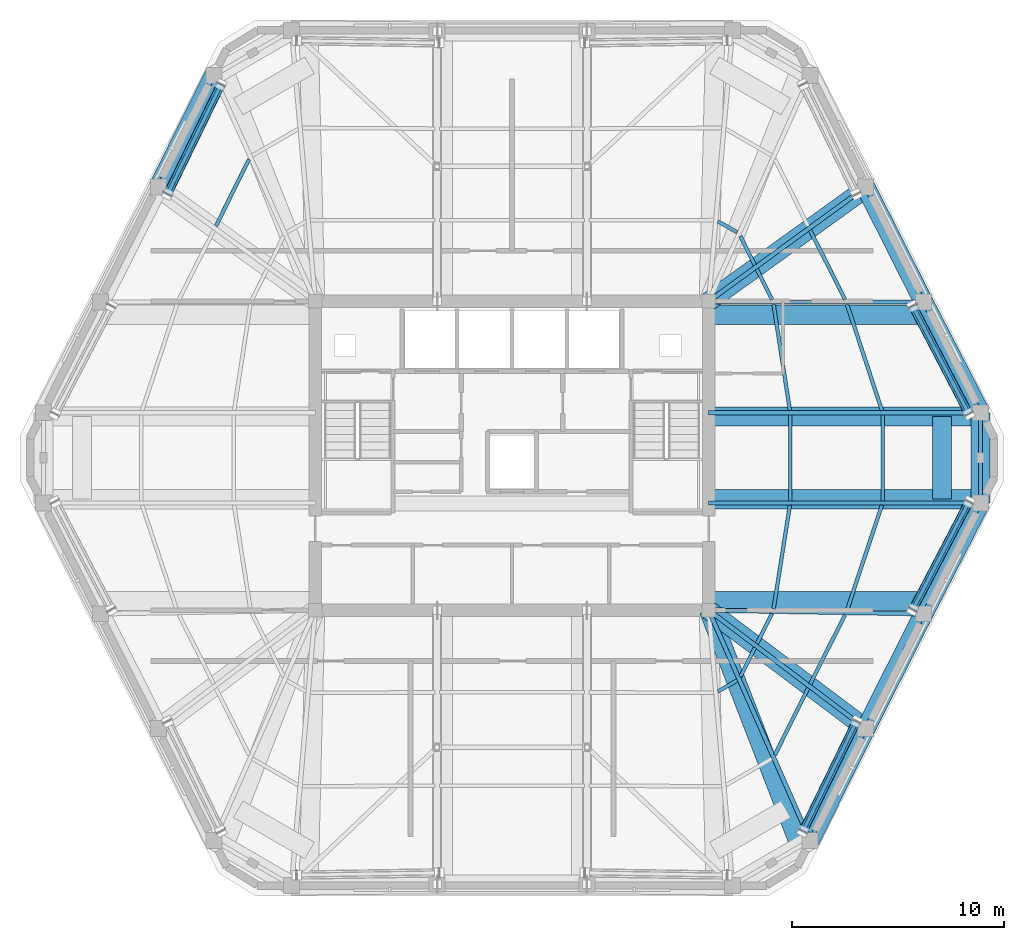
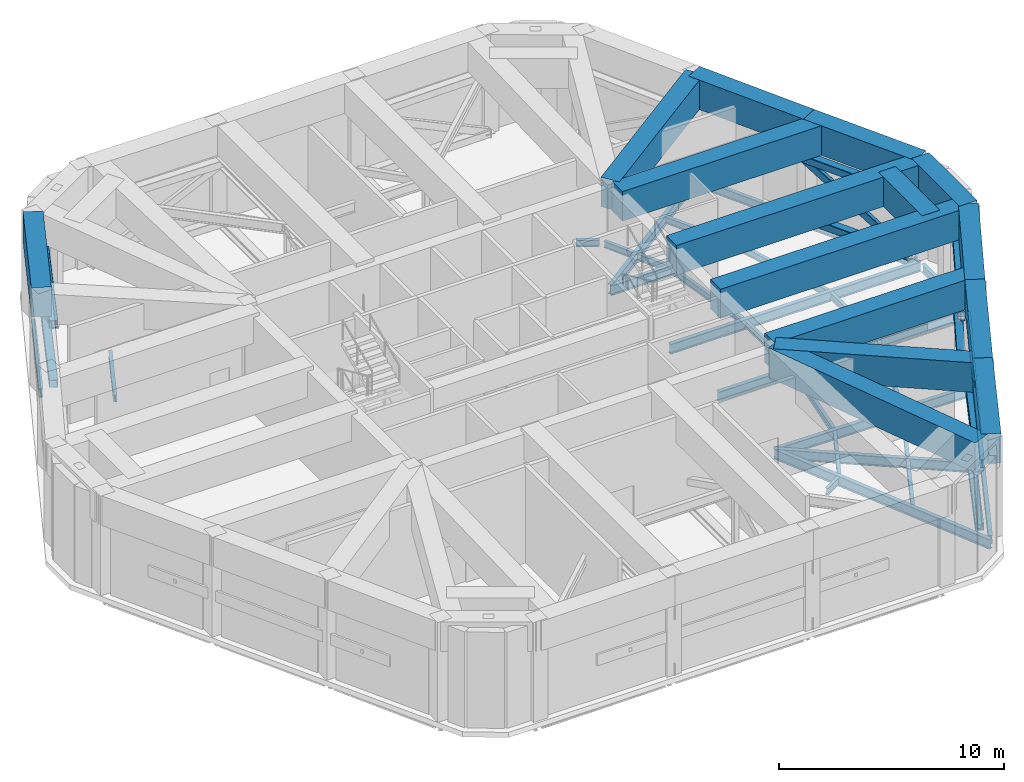
# One storey, part 4 of 15: 45 beams, 12 members.
"""IFC4 building model written with IfcOpenShell, lengths in metres."""

from ifc_helpers import new_model, si_unit, direction, frame, origin, origin_2d, place, context, subcontext, project, spatial, rectangle, hollow_rectangle, i_section, extrude, material, material_profile, profile_set, type_object, element, save


model = new_model("IFC4")

# Units and contexts
model_context = context("Model", 3, precision=1e-05, world=origin(), true_north=direction((0.0, 1.0)))
body_context = subcontext(model_context, "Body", "Model", "MODEL_VIEW")
ifc_project = project(units=[si_unit("LENGTHUNIT", "METRE"), si_unit("AREAUNIT", "SQUARE_METRE"), si_unit("VOLUMEUNIT", "CUBIC_METRE"), si_unit("PLANEANGLEUNIT", "RADIAN"), si_unit("MASSUNIT", "GRAM", prefix="KILO")], contexts=[model_context])

# Site, building, storey
site_placement = place(None, origin())
site = spatial("IfcSite", under=ifc_project, at=site_placement, CompositionType="ELEMENT")
building_placement = place(site_placement, origin())
building = spatial("IfcBuilding", under=site, at=building_placement, Name="Cinnabar Lancet Tower", CompositionType="ELEMENT")
storey_placement = place(building_placement, frame((0.0, 0.0, 221.60009765625)))
storey = spatial("IfcBuildingStorey", under=building, at=storey_placement, Name="L59", CompositionType="ELEMENT", Elevation=221.60009765625)

# Beams
ifc_material_1 = material(Name="Concrete C70/85", Category="concrete")
ifc_material_profile_1 = material_profile(ifc_material_1, rectangle(XDim=0.89990234375, YDim=1.60009765625, at=origin_2d()), Name="RC-BG 900x1600")
ifc_profile_set_1 = profile_set([ifc_material_profile_1], Name="Concrete C70/85")
beam_type_1 = type_object("IfcBeamType", Name="STR-BM-BG-1600", PredefinedType="BEAM", material=ifc_profile_set_1)
beam_1_placement = place(storey_placement, frame((46.4951171875, 7.718017578125, 4.599853515625), z_axis=(0.444811402135, 0.895624260798, 0.0), x_axis=(-0.895624260798, 0.444811402135, 0.0)))
element("IfcBeam", 1, at=beam_1_placement, inside=storey, type_object=beam_type_1, Name="L60 Setback Outer Ring Girder 5", PredefinedType="BEAM", context=body_context, shape_type="SweptSolid", body=[
    extrude(rectangle(XDim=0.89990234375, YDim=1.60009765625, at=origin_2d()), origin(), (0.0, 0.0, 1.0), 5.898681640625),
])
beam_2_placement = place(storey_placement, frame((49.118896484375, 13.0009765625, 4.599853515625), z_axis=(0.450503306898, 0.892774759093, 0.0), x_axis=(-0.892774759093, 0.450503306898, 0.0)))
element("IfcBeam", 2, at=beam_2_placement, inside=storey, type_object=beam_type_1, Name="L60 Setback Outer Ring Girder 6", PredefinedType="BEAM", context=body_context, shape_type="SweptSolid", body=[
    extrude(rectangle(XDim=0.89990234375, YDim=1.60009765625, at=origin_2d()), origin(), (0.0, 0.0, 1.0), 6.079833984375),
])
beam_3_placement = place(storey_placement, frame((51.85791015625, 18.428955078125, 4.599853515625), z_axis=(0.456657491624, 0.88964258854, 0.0), x_axis=(-0.88964258854, 0.456657491624, 0.0)))
element("IfcBeam", 3, at=beam_3_placement, inside=storey, type_object=beam_type_1, Name="L60 Setback Outer Ring Girder 7", PredefinedType="BEAM", context=body_context, shape_type="SweptSolid", body=[
    extrude(rectangle(XDim=0.89990234375, YDim=1.60009765625, at=origin_2d()), origin(), (0.0, 0.0, 1.0), 5.888916015625),
])
beam_4_placement = place(storey_placement, frame((54.547119140625, 23.66796875, 4.599853515625), z_axis=(0.0, 1.0, 0.0), x_axis=(-1.0, 0.0, 0.0)))
element("IfcBeam", 4, at=beam_4_placement, inside=storey, type_object=beam_type_1, Name="L60 Setback Outer Ring Girder 8", PredefinedType="BEAM", context=body_context, shape_type="SweptSolid", body=[
    extrude(rectangle(XDim=0.89990234375, YDim=1.60009765625, at=origin_2d()), origin(), (0.0, 0.0, 1.0), 4.263916015625),
])
beam_5_placement = place(storey_placement, frame((54.547119140625, 27.931884765625, 4.599853515625), z_axis=(-0.456657491624, 0.88964258854, 0.0), x_axis=(-0.88964258854, -0.456657491624, 0.0)))
element("IfcBeam", 5, at=beam_5_placement, inside=storey, type_object=beam_type_1, Name="L60 Setback Outer Ring Girder 9", PredefinedType="BEAM", context=body_context, shape_type="SweptSolid", body=[
    extrude(rectangle(XDim=0.89990234375, YDim=1.60009765625, at=origin_2d()), origin(), (0.0, 0.0, 1.0), 5.888916015625),
])
beam_6_placement = place(storey_placement, frame((51.85791015625, 33.1708984375, 4.599853515625), z_axis=(-0.450487156987, 0.892782908321, 0.0), x_axis=(-0.892782908321, -0.450487156987, 0.0)))
element("IfcBeam", 6, at=beam_6_placement, inside=storey, type_object=beam_type_1, Name="L60 Setback Outer Ring Girder 10", PredefinedType="BEAM", context=body_context, shape_type="SweptSolid", body=[
    extrude(rectangle(XDim=0.89990234375, YDim=1.60009765625, at=origin_2d()), origin(), (0.0, 0.0, 1.0), 6.080078125),
])
beam_7_placement = place(storey_placement, frame((18.304931640625, 43.882080078125, 4.599853515625), z_axis=(-0.444844601392, -0.895607771635, 0.0), x_axis=(0.895607771635, -0.444844601392, 0.0)))
element("IfcBeam", 7, at=beam_7_placement, inside=storey, type_object=beam_type_1, Name="L60 Setback Outer Ring Girder 17", PredefinedType="BEAM", context=body_context, shape_type="SweptSolid", body=[
    extrude(rectangle(XDim=0.89990234375, YDim=1.60009765625, at=origin_2d()), origin(), (0.0, 0.0, 1.0), 5.898681640625),
])
beam_8_placement = place(storey_placement, frame((45.949951171875, 7.616943359375, 4.599853515625), z_axis=(-0.360880109126, 0.932612216753, 0.0), x_axis=(-0.932612216753, -0.360880109126, 0.0)))
element("IfcBeam", 8, at=beam_8_placement, inside=storey, type_object=beam_type_1, Name="L60 Setback Continuous Radial Transfer Girder 5", PredefinedType="BEAM", context=body_context, shape_type="SweptSolid", body=[
    extrude(rectangle(XDim=0.89990234375, YDim=1.60009765625, at=origin_2d()), origin(), (0.0, 0.0, 1.0), 11.77685546875),
])
beam_9_placement = place(storey_placement, frame((49.10205078125, 13.027099609375, 4.599853515625), z_axis=(-0.798888792815, 0.601478758323, 0.0), x_axis=(-0.601478758323, -0.798888792815, 0.0)))
element("IfcBeam", 9, at=beam_9_placement, inside=storey, type_object=beam_type_1, Name="L60 Setback Continuous Radial Transfer Girder 6", PredefinedType="BEAM", context=body_context, shape_type="SweptSolid", body=[
    extrude(rectangle(XDim=0.89990234375, YDim=1.60009765625, at=origin_2d()), origin(), (0.0, 0.0, 1.0), 9.265380859375),
])
beam_10_placement = place(storey_placement, frame((51.958984375, 19.032958984375, 4.599853515625), z_axis=(-1.0, 0.0, 0.0), x_axis=(0.0, -1.0, 0.0)))
element("IfcBeam", 10, at=beam_10_placement, inside=storey, type_object=beam_type_1, Name="L60 Setback Continuous Radial Transfer Girder 7", PredefinedType="BEAM", context=body_context, shape_type="SweptSolid", body=[
    extrude(rectangle(XDim=0.89990234375, YDim=1.60009765625, at=origin_2d()), origin(), (0.0, 0.0, 1.0), 10.259033203125),
])
for number, where, z_axis, x_axis, name in (
    (11, (54.427978515625, 23.844970703125, 4.599853515625), (-1.0, 0.0, 0.0), (0.0, -1.0, 0.0), "L60 Setback Continuous Radial Transfer Girder 8"),
    (12, (54.427978515625, 27.7548828125, 4.599853515625), (-1.0, 0.0, 0.0), (0.0, -1.0, 0.0), "L60 Setback Continuous Radial Transfer Girder 9"),
):
    element("IfcBeam", number, at=place(storey_placement, frame(where, z_axis=z_axis, x_axis=x_axis)), inside=storey, type_object=beam_type_1, Name=name, PredefinedType="BEAM", context=body_context, shape_type="SweptSolid", body=[
        extrude(rectangle(XDim=0.89990234375, YDim=1.60009765625, at=origin_2d()), origin(), (0.0, 0.0, 1.0), 12.72802734375),
    ])
beam_11_placement = place(storey_placement, frame((51.958984375, 32.56689453125, 4.599853515625), z_axis=(-1.0, 0.0, 0.0), x_axis=(0.0, -1.0, 0.0)))
element("IfcBeam", 13, at=beam_11_placement, inside=storey, type_object=beam_type_1, Name="L60 Setback Continuous Radial Transfer Girder 10", PredefinedType="BEAM", context=body_context, shape_type="SweptSolid", body=[
    extrude(rectangle(XDim=0.89990234375, YDim=1.60009765625, at=origin_2d()), origin(), (0.0, 0.0, 1.0), 10.259033203125),
])
beam_12_placement = place(storey_placement, frame((49.1240234375, 38.54296875, 4.599853515625), z_axis=(-0.811654308414, -0.584138068981, 0.0), x_axis=(0.584138068981, -0.811654308414, 0.0)))
element("IfcBeam", 14, at=beam_12_placement, inside=storey, type_object=beam_type_1, Name="L60 Setback Continuous Radial Transfer Girder 11", PredefinedType="BEAM", context=body_context, shape_type="SweptSolid", body=[
    extrude(rectangle(XDim=0.89990234375, YDim=1.60009765625, at=origin_2d()), origin(), (0.0, 0.0, 1.0), 9.146728515625),
])
beam_13_placement = place(storey_placement, frame((52.737060546875, 23.844970703125, 4.599853515625), z_axis=(0.0, 1.0, 0.0), x_axis=(-1.0, 0.0, 0.0)))
element("IfcBeam", 15, at=beam_13_placement, inside=storey, type_object=beam_type_1, Name="L60 Setback Pilaster Transfer Chord 3", PredefinedType="BEAM", context=body_context, shape_type="SweptSolid", body=[
    extrude(rectangle(XDim=0.89990234375, YDim=1.60009765625, at=origin_2d()), origin(), (0.0, 0.0, 1.0), 3.909912109375),
])
ifc_material_2 = material(Name="Structural steel S355", Category="steel")
ifc_material_profile_2 = material_profile(ifc_material_2, i_section(OverallWidth=0.17138671875, OverallDepth=0.35498046875, WebThickness=0.00732421875, FlangeThickness=0.011474609375, FilletRadius=0.01025390625, at=origin_2d()), Name="UKB 356x171x51")
ifc_profile_set_2 = profile_set([ifc_material_profile_2], Name="Structural steel S355")
beam_type_2 = type_object("IfcBeamType", Name="STR-BM-JST-356", PredefinedType="JOIST", material=ifc_profile_set_2)
beam_14_placement = place(storey_placement, frame((42.135986328125, 14.7548828125, -0.4580078125), z_axis=(0.8651881055, 0.501447446998, 0.0), x_axis=(-0.501447446998, 0.8651881055, 0.0)))
element("IfcBeam", 16, at=beam_14_placement, inside=storey, type_object=beam_type_2, Name="L59 Secondary Floor Joist 16", PredefinedType="JOIST", context=body_context, shape_type="SweptSolid", body=[
    extrude(i_section(OverallWidth=0.17138671875, OverallDepth=0.35498046875, WebThickness=0.00732421875, FlangeThickness=0.011474609375, FilletRadius=0.01025390625, at=origin_2d()), origin(), (0.0, 0.0, 1.0), 1.05322265625),
])
beam_15_placement = place(storey_placement, frame((44.8291015625, 11.758056640625, -0.4580078125), z_axis=(0.445027906173, 0.895516701534, 0.0), x_axis=(-0.895516701534, 0.445027906173, 0.0)))
element("IfcBeam", 17, at=beam_15_placement, inside=storey, type_object=beam_type_2, Name="L59 Secondary Floor Joist 17", PredefinedType="JOIST", context=body_context, shape_type="SweptSolid", body=[
    extrude(i_section(OverallWidth=0.17138671875, OverallDepth=0.35498046875, WebThickness=0.00732421875, FlangeThickness=0.011474609375, FilletRadius=0.01025390625, at=origin_2d()), origin(), (0.0, 0.0, 1.0), 3.531982421875),
])
beam_16_placement = place(storey_placement, frame((43.198974609375, 15.45703125, -0.4580078125), z_axis=(0.444589856968, 0.895734256954, 0.0), x_axis=(-0.895734256954, 0.444589856968, 0.0)))
element("IfcBeam", 18, at=beam_16_placement, inside=storey, type_object=beam_type_2, Name="L59 Secondary Floor Joist 18", PredefinedType="JOIST", context=body_context, shape_type="SweptSolid", body=[
    extrude(i_section(OverallWidth=0.17138671875, OverallDepth=0.35498046875, WebThickness=0.00732421875, FlangeThickness=0.011474609375, FilletRadius=0.01025390625, at=origin_2d()), origin(), (0.0, 0.0, 1.0), 1.527099609375),
])
beam_17_placement = place(storey_placement, frame((46.49609375, 15.112060546875, -0.4580078125), z_axis=(0.450564728728, 0.892743762357, 0.0), x_axis=(-0.892743762357, 0.450564728728, 0.0)))
element("IfcBeam", 19, at=beam_17_placement, inside=storey, type_object=beam_type_2, Name="L59 Secondary Floor Joist 19", PredefinedType="JOIST", context=body_context, shape_type="SweptSolid", body=[
    extrude(i_section(OverallWidth=0.17138671875, OverallDepth=0.35498046875, WebThickness=0.00732421875, FlangeThickness=0.011474609375, FilletRadius=0.01025390625, at=origin_2d()), origin(), (0.0, 0.0, 1.0), 3.66845703125),
])
beam_18_placement = place(storey_placement, frame((43.97412109375, 17.014892578125, -0.4580078125), z_axis=(0.450137936259, 0.892959035085, 0.0), x_axis=(-0.892959035085, 0.450137936259, 0.0)))
element("IfcBeam", 20, at=beam_18_placement, inside=storey, type_object=beam_type_2, Name="L59 Secondary Floor Joist 20", PredefinedType="JOIST", context=body_context, shape_type="SweptSolid", body=[
    extrude(i_section(OverallWidth=0.17138671875, OverallDepth=0.35498046875, WebThickness=0.00732421875, FlangeThickness=0.011474609375, FilletRadius=0.01025390625, at=origin_2d()), origin(), (0.0, 0.0, 1.0), 1.6015625),
])
beam_19_placement = place(storey_placement, frame((48.236083984375, 18.594970703125, -0.4580078125), z_axis=(0.315346227037, 0.948976689436, 0.0), x_axis=(-0.948976689436, 0.315346227037, 0.0)))
element("IfcBeam", 21, at=beam_19_placement, inside=storey, type_object=beam_type_2, Name="L59 Secondary Floor Joist 21", PredefinedType="JOIST", context=body_context, shape_type="SweptSolid", body=[
    extrude(i_section(OverallWidth=0.17138671875, OverallDepth=0.35498046875, WebThickness=0.00732421875, FlangeThickness=0.011474609375, FilletRadius=0.01025390625, at=origin_2d()), origin(), (0.0, 0.0, 1.0), 5.235107421875),
])
beam_20_placement = place(storey_placement, frame((44.763916015625, 18.653076171875, -0.4580078125), z_axis=(0.155750702097, 0.987796395416, 0.0), x_axis=(-0.987796395416, 0.155750702097, 0.0)))
element("IfcBeam", 22, at=beam_20_placement, inside=storey, type_object=beam_type_2, Name="L59 Secondary Floor Joist 22", PredefinedType="JOIST", context=body_context, shape_type="SweptSolid", body=[
    extrude(i_section(OverallWidth=0.17138671875, OverallDepth=0.35498046875, WebThickness=0.00732421875, FlangeThickness=0.011474609375, FilletRadius=0.01025390625, at=origin_2d()), origin(), (0.0, 0.0, 1.0), 4.970458984375),
])
for number, where, z_axis, x_axis, name in (
    (23, (49.922119140625, 23.77294921875, -0.4580078125), (0.0, 1.0, 0.0), (-1.0, 0.0, 0.0), "L59 Secondary Floor Joist 23"),
    (24, (45.553955078125, 23.77294921875, -0.4580078125), (0.0, 1.0, 0.0), (-1.0, 0.0, 0.0), "L59 Secondary Floor Joist 24"),
):
    element("IfcBeam", number, at=place(storey_placement, frame(where, z_axis=z_axis, x_axis=x_axis)), inside=storey, type_object=beam_type_2, Name=name, PredefinedType="JOIST", context=body_context, shape_type="SweptSolid", body=[
        extrude(i_section(OverallWidth=0.17138671875, OverallDepth=0.35498046875, WebThickness=0.00732421875, FlangeThickness=0.011474609375, FilletRadius=0.01025390625, at=origin_2d()), origin(), (0.0, 0.0, 1.0), 4.053955078125),
    ])
beam_21_placement = place(storey_placement, frame((49.887939453125, 28.037109375, -0.4580078125), z_axis=(-0.312240109925, 0.95000321776, 0.0), x_axis=(-0.95000321776, -0.312240109925, 0.0)))
element("IfcBeam", 25, at=beam_21_placement, inside=storey, type_object=beam_type_2, Name="L59 Secondary Floor Joist 25", PredefinedType="JOIST", context=body_context, shape_type="SweptSolid", body=[
    extrude(i_section(OverallWidth=0.17138671875, OverallDepth=0.35498046875, WebThickness=0.00732421875, FlangeThickness=0.011474609375, FilletRadius=0.01025390625, at=origin_2d()), origin(), (0.0, 0.0, 1.0), 5.29345703125),
])
beam_22_placement = place(storey_placement, frame((45.5380859375, 28.037109375, -0.4580078125), z_axis=(-0.152154536592, 0.98835671546, 0.0), x_axis=(-0.98835671546, -0.152154536592, 0.0)))
element("IfcBeam", 26, at=beam_22_placement, inside=storey, type_object=beam_type_2, Name="L59 Secondary Floor Joist 26", PredefinedType="JOIST", context=body_context, shape_type="SweptSolid", body=[
    extrude(i_section(OverallWidth=0.17138671875, OverallDepth=0.35498046875, WebThickness=0.00732421875, FlangeThickness=0.011474609375, FilletRadius=0.01025390625, at=origin_2d()), origin(), (0.0, 0.0, 1.0), 5.088134765625),
])
beam_23_placement = place(storey_placement, frame((48.14794921875, 33.27587890625, -0.4580078125), z_axis=(-0.449230875134, 0.893415704376, 0.0), x_axis=(-0.893415704376, -0.449230875134, 0.0)))
element("IfcBeam", 27, at=beam_23_placement, inside=storey, type_object=beam_type_2, Name="L59 Secondary Floor Joist 27", PredefinedType="JOIST", context=body_context, shape_type="SweptSolid", body=[
    extrude(i_section(OverallWidth=0.17138671875, OverallDepth=0.35498046875, WebThickness=0.00732421875, FlangeThickness=0.011474609375, FilletRadius=0.01025390625, at=origin_2d()), origin(), (0.0, 0.0, 1.0), 3.677001953125),
])
beam_24_placement = place(storey_placement, frame((44.695068359375, 33.27587890625, -0.4580078125), z_axis=(-0.446006949597, 0.89502949723, 0.0), x_axis=(-0.89502949723, -0.446006949597, 0.0)))
element("IfcBeam", 28, at=beam_24_placement, inside=storey, type_object=beam_type_2, Name="L59 Secondary Floor Joist 28", PredefinedType="JOIST", context=body_context, shape_type="SweptSolid", body=[
    extrude(i_section(OverallWidth=0.17138671875, OverallDepth=0.35498046875, WebThickness=0.00732421875, FlangeThickness=0.011474609375, FilletRadius=0.01025390625, at=origin_2d()), origin(), (0.0, 0.0, 1.0), 1.619140625),
])
beam_25_placement = place(storey_placement, frame((43.8779296875, 34.9150390625, -0.4580078125), z_axis=(-0.444589856968, 0.895734256954, 0.0), x_axis=(-0.895734256954, -0.444589856968, 0.0)))
element("IfcBeam", 29, at=beam_25_placement, inside=storey, type_object=beam_type_2, Name="L59 Secondary Floor Joist 30", PredefinedType="JOIST", context=body_context, shape_type="SweptSolid", body=[
    extrude(i_section(OverallWidth=0.17138671875, OverallDepth=0.35498046875, WebThickness=0.00732421875, FlangeThickness=0.011474609375, FilletRadius=0.01025390625, at=origin_2d()), origin(), (0.0, 0.0, 1.0), 1.527099609375),
])
beam_26_placement = place(storey_placement, frame((43.047119140625, 36.45703125, -0.4580078125), z_axis=(-0.8651881055, 0.501447446998, 0.0), x_axis=(-0.501447446998, -0.8651881055, 0.0)))
element("IfcBeam", 30, at=beam_26_placement, inside=storey, type_object=beam_type_2, Name="L59 Secondary Floor Joist 32", PredefinedType="JOIST", context=body_context, shape_type="SweptSolid", body=[
    extrude(i_section(OverallWidth=0.17138671875, OverallDepth=0.35498046875, WebThickness=0.00732421875, FlangeThickness=0.011474609375, FilletRadius=0.01025390625, at=origin_2d()), origin(), (0.0, 0.0, 1.0), 1.05322265625),
])
beam_27_placement = place(storey_placement, frame((19.970947265625, 39.9150390625, -0.4580078125), z_axis=(-0.444835507887, -0.895612288283, 0.0), x_axis=(0.895612288283, -0.444835507887, 0.0)))
element("IfcBeam", 31, at=beam_27_placement, inside=storey, type_object=beam_type_2, Name="L59 Secondary Floor Joist 41", PredefinedType="JOIST", context=body_context, shape_type="SweptSolid", body=[
    extrude(i_section(OverallWidth=0.17138671875, OverallDepth=0.35498046875, WebThickness=0.00732421875, FlangeThickness=0.011474609375, FilletRadius=0.01025390625, at=origin_2d()), origin(), (0.0, 0.0, 1.0), 3.533935546875),
])
ifc_material_3 = material(Name="Structural steel S355", Category="steel")
ifc_material_profile_3 = material_profile(ifc_material_3, i_section(OverallWidth=0.1904296875, OverallDepth=0.45703125, WebThickness=0.009033203125, FlangeThickness=0.014404296875, FilletRadius=0.01025390625, at=origin_2d()), Name="UKB 457x191x74")
ifc_profile_set_3 = profile_set([ifc_material_profile_3], Name="Structural steel S355")
beam_type_3 = type_object("IfcBeamType", Name="STR-BM-SPN-457", PredefinedType="SPANDREL", material=ifc_profile_set_3)
beam_28_placement = place(storey_placement, frame((46.60595703125, 7.94189453125, -0.509033203125), z_axis=(0.444914968367, 0.895572817208, 0.0), x_axis=(-0.895572817208, 0.444914968367, 0.0)))
element("IfcBeam", 32, at=beam_28_placement, inside=storey, type_object=beam_type_3, Name="L59 Perimeter Spandrel 5", PredefinedType="SPANDREL", context=body_context, shape_type="SweptSolid", body=[
    extrude(i_section(OverallWidth=0.1904296875, OverallDepth=0.45703125, WebThickness=0.009033203125, FlangeThickness=0.014404296875, FilletRadius=0.01025390625, at=origin_2d()), origin(), (0.0, 0.0, 1.0), 5.39892578125),
])
beam_29_placement = place(storey_placement, frame((49.23193359375, 13.22412109375, -0.509033203125), z_axis=(0.450395996562, 0.892828900899, 0.0), x_axis=(-0.892828900899, 0.450395996562, 0.0)))
element("IfcBeam", 33, at=beam_29_placement, inside=storey, type_object=beam_type_3, Name="L59 Perimeter Spandrel 6", PredefinedType="SPANDREL", context=body_context, shape_type="SweptSolid", body=[
    extrude(i_section(OverallWidth=0.1904296875, OverallDepth=0.45703125, WebThickness=0.009033203125, FlangeThickness=0.014404296875, FilletRadius=0.01025390625, at=origin_2d()), origin(), (0.0, 0.0, 1.0), 5.579833984375),
])
beam_30_placement = place(storey_placement, frame((51.971923828125, 18.65087890625, -0.509033203125), z_axis=(0.456628362232, 0.889657540184, 0.0), x_axis=(-0.889657540184, 0.456628362232, 0.0)))
element("IfcBeam", 34, at=beam_30_placement, inside=storey, type_object=beam_type_3, Name="L59 Perimeter Spandrel 7", PredefinedType="SPANDREL", context=body_context, shape_type="SweptSolid", body=[
    extrude(i_section(OverallWidth=0.1904296875, OverallDepth=0.45703125, WebThickness=0.009033203125, FlangeThickness=0.014404296875, FilletRadius=0.01025390625, at=origin_2d()), origin(), (0.0, 0.0, 1.0), 5.389892578125),
])
beam_31_placement = place(storey_placement, frame((54.547119140625, 23.91796875, -0.509033203125), z_axis=(0.0, 1.0, 0.0), x_axis=(-1.0, 0.0, 0.0)))
element("IfcBeam", 35, at=beam_31_placement, inside=storey, type_object=beam_type_3, Name="L59 Perimeter Spandrel 8", PredefinedType="SPANDREL", context=body_context, shape_type="SweptSolid", body=[
    extrude(i_section(OverallWidth=0.1904296875, OverallDepth=0.45703125, WebThickness=0.009033203125, FlangeThickness=0.014404296875, FilletRadius=0.01025390625, at=origin_2d()), origin(), (0.0, 0.0, 1.0), 3.763916015625),
])
beam_32_placement = place(storey_placement, frame((54.43310546875, 28.154052734375, -0.509033203125), z_axis=(-0.456646764028, 0.889648094981, 0.0), x_axis=(-0.889648094981, -0.456646764028, 0.0)))
element("IfcBeam", 36, at=beam_32_placement, inside=storey, type_object=beam_type_3, Name="L59 Perimeter Spandrel 9", PredefinedType="SPANDREL", context=body_context, shape_type="SweptSolid", body=[
    extrude(i_section(OverallWidth=0.1904296875, OverallDepth=0.45703125, WebThickness=0.009033203125, FlangeThickness=0.014404296875, FilletRadius=0.01025390625, at=origin_2d()), origin(), (0.0, 0.0, 1.0), 5.3896484375),
])
beam_33_placement = place(storey_placement, frame((51.7451171875, 33.39404296875, -0.509033203125), z_axis=(-0.450395996562, 0.892828900899, 0.0), x_axis=(-0.892828900899, -0.450395996562, 0.0)))
element("IfcBeam", 37, at=beam_33_placement, inside=storey, type_object=beam_type_3, Name="L59 Perimeter Spandrel 10", PredefinedType="SPANDREL", context=body_context, shape_type="SweptSolid", body=[
    extrude(i_section(OverallWidth=0.1904296875, OverallDepth=0.45703125, WebThickness=0.009033203125, FlangeThickness=0.014404296875, FilletRadius=0.01025390625, at=origin_2d()), origin(), (0.0, 0.0, 1.0), 5.579833984375),
])
beam_34_placement = place(storey_placement, frame((18.194091796875, 43.657958984375, -0.509033203125), z_axis=(-0.444932986899, -0.895563865489, 0.0), x_axis=(0.895563865489, -0.444932986899, 0.0)))
element("IfcBeam", 38, at=beam_34_placement, inside=storey, type_object=beam_type_3, Name="L59 Perimeter Spandrel 17", PredefinedType="SPANDREL", context=body_context, shape_type="SweptSolid", body=[
    extrude(i_section(OverallWidth=0.1904296875, OverallDepth=0.45703125, WebThickness=0.009033203125, FlangeThickness=0.014404296875, FilletRadius=0.01025390625, at=origin_2d()), origin(), (0.0, 0.0, 1.0), 5.398681640625),
])
ifc_material_4 = material(Name="Structural steel S355", Category="steel")
ifc_material_profile_4 = material_profile(ifc_material_4, i_section(OverallWidth=0.209228515625, OverallDepth=0.533203125, WebThickness=0.010009765625, FlangeThickness=0.015625, FilletRadius=0.0126953125, at=origin_2d()), Name="UKB 533x210x92")
ifc_profile_set_4 = profile_set([ifc_material_profile_4], Name="Structural steel S355")
beam_type_4 = type_object("IfcBeamType", Name="STR-BM-UKB533-92", PredefinedType="BEAM", material=ifc_profile_set_4)
beam_35_placement = place(storey_placement, frame((49.118896484375, 13.0009765625, -0.547119140625), z_axis=(-0.798193439732, 0.602401222417, 0.0), x_axis=(-0.602401222417, -0.798193439732, 0.0)))
element("IfcBeam", 39, at=beam_35_placement, inside=storey, type_object=beam_type_4, Name="L59 Corner Collector Girder 2", PredefinedType="BEAM", context=body_context, shape_type="SweptSolid", body=[
    extrude(i_section(OverallWidth=0.209228515625, OverallDepth=0.533203125, WebThickness=0.010009765625, FlangeThickness=0.015625, FilletRadius=0.0126953125, at=origin_2d()), origin(), (0.0, 0.0, 1.0), 9.294677734375),
])
beam_36_placement = place(storey_placement, frame((49.118896484375, 38.59912109375, -0.547119140625), z_axis=(-0.808550797984, -0.588426382039, 0.0), x_axis=(0.588426382039, -0.808550797984, 0.0)))
element("IfcBeam", 40, at=beam_36_placement, inside=storey, type_object=beam_type_4, Name="L59 Corner Collector Girder 3", PredefinedType="BEAM", context=body_context, shape_type="SweptSolid", body=[
    extrude(i_section(OverallWidth=0.209228515625, OverallDepth=0.533203125, WebThickness=0.010009765625, FlangeThickness=0.015625, FilletRadius=0.0126953125, at=origin_2d()), origin(), (0.0, 0.0, 1.0), 9.175537109375),
])
beam_37_placement = place(storey_placement, frame((46.4951171875, 7.718017578125, -0.547119140625), z_axis=(-0.403235299754, 0.915096329919, 0.0), x_axis=(-0.915096329919, -0.403235299754, 0.0)))
element("IfcBeam", 41, at=beam_37_placement, inside=storey, type_object=beam_type_4, Name="L59 Primary Floor Girder 5", PredefinedType="BEAM", context=body_context, shape_type="SweptSolid", body=[
    extrude(i_section(OverallWidth=0.209228515625, OverallDepth=0.533203125, WebThickness=0.010009765625, FlangeThickness=0.015625, FilletRadius=0.0126953125, at=origin_2d()), origin(), (0.0, 0.0, 1.0), 11.891845703125),
])
beam_38_placement = place(storey_placement, frame((51.85791015625, 18.428955078125, -0.547119140625), z_axis=(-0.999858100525, 0.016845735777, 0.0), x_axis=(-0.016845735777, -0.999858100525, 0.0)))
element("IfcBeam", 42, at=beam_38_placement, inside=storey, type_object=beam_type_4, Name="L59 Primary Floor Girder 7", PredefinedType="BEAM", context=body_context, shape_type="SweptSolid", body=[
    extrude(i_section(OverallWidth=0.209228515625, OverallDepth=0.533203125, WebThickness=0.010009765625, FlangeThickness=0.015625, FilletRadius=0.0126953125, at=origin_2d()), origin(), (0.0, 0.0, 1.0), 10.159423828125),
])
for number, where, z_axis, x_axis, name in (
    (43, (54.547119140625, 23.66796875, -0.547119140625), (-1.0, 0.0, 0.0), (0.0, -1.0, 0.0), "L59 Primary Floor Girder 8"),
    (44, (54.547119140625, 27.931884765625, -0.547119140625), (-1.0, 0.0, 0.0), (0.0, -1.0, 0.0), "L59 Primary Floor Girder 9"),
):
    element("IfcBeam", number, at=place(storey_placement, frame(where, z_axis=z_axis, x_axis=x_axis)), inside=storey, type_object=beam_type_4, Name=name, PredefinedType="BEAM", context=body_context, shape_type="SweptSolid", body=[
        extrude(i_section(OverallWidth=0.209228515625, OverallDepth=0.533203125, WebThickness=0.010009765625, FlangeThickness=0.015625, FilletRadius=0.0126953125, at=origin_2d()), origin(), (0.0, 0.0, 1.0), 12.84716796875),
    ])
beam_39_placement = place(storey_placement, frame((51.85791015625, 33.1708984375, -0.547119140625), z_axis=(-1.0, 0.0, 0.0), x_axis=(0.0, -1.0, 0.0)))
element("IfcBeam", 45, at=beam_39_placement, inside=storey, type_object=beam_type_4, Name="L59 Primary Floor Girder 10", PredefinedType="BEAM", context=body_context, shape_type="SweptSolid", body=[
    extrude(i_section(OverallWidth=0.209228515625, OverallDepth=0.533203125, WebThickness=0.010009765625, FlangeThickness=0.015625, FilletRadius=0.0126953125, at=origin_2d()), origin(), (0.0, 0.0, 1.0), 10.157958984375),
])

# Members
ifc_material_5 = material(Name="Structural steel S460", Category="steel")
ifc_material_profile_5 = material_profile(ifc_material_5, hollow_rectangle(XDim=0.199951171875, YDim=0.39990234375, WallThickness=0.01611328125, InnerFilletRadius=0.008056640625, OuterFilletRadius=0.02392578125, at=origin_2d()), Name="RHS 400x200x16")
ifc_profile_set_5 = profile_set([ifc_material_profile_5], Name="Structural steel S460")
member_type_1 = type_object("IfcMemberType", Name="STR-MEM-BT-BRC400", PredefinedType="BRACE", material=ifc_profile_set_5)
member_1_placement = place(storey_placement, frame((46.156982421875, 8.152099609375, 0.219970703125), z_axis=(0.382079029713, 0.784292759792, 0.488774469455), x_axis=(-0.898995426595, 0.437958015067, 0.0)))
element("IfcMember", 46, at=member_1_placement, inside=storey, type_object=member_type_1, Name="L59 Belt Truss Face 2 Diagonal", PredefinedType="BRACE", context=body_context, shape_type="SweptSolid", body=[
    extrude(hollow_rectangle(XDim=0.199951171875, YDim=0.39990234375, WallThickness=0.01611328125, InnerFilletRadius=0.008056640625, OuterFilletRadius=0.02392578125, at=origin_2d()), origin(), (0.0, 0.0, 1.0), 6.6083984375),
])
member_2_placement = place(storey_placement, frame((51.343994140625, 18.6240234375, 3.449951171875), z_axis=(0.402861089297, 0.773097799546, -0.489921151889), x_axis=(-0.886817259657, 0.46212027436, 0.0)))
element("IfcMember", 47, at=member_2_placement, inside=storey, type_object=member_type_1, Name="L59 Belt Truss Face 2 Diagonal", PredefinedType="BRACE", context=body_context, shape_type="SweptSolid", body=[
    extrude(hollow_rectangle(XDim=0.199951171875, YDim=0.39990234375, WallThickness=0.01611328125, InnerFilletRadius=0.008056640625, OuterFilletRadius=0.02392578125, at=origin_2d()), origin(), (0.0, 0.0, 1.0), 6.5927734375),
])
member_3_placement = place(storey_placement, frame((54.0, 27.87890625, 0.219970703125), z_axis=(-0.402849556149, 0.773112697241, 0.489907126377), x_axis=(-0.886826330582, -0.462102866673, 0.0)))
element("IfcMember", 48, at=member_3_placement, inside=storey, type_object=member_type_1, Name="L59 Belt Truss Face 3 Diagonal", PredefinedType="BRACE", context=body_context, shape_type="SweptSolid", body=[
    extrude(hollow_rectangle(XDim=0.199951171875, YDim=0.39990234375, WallThickness=0.01611328125, InnerFilletRadius=0.008056640625, OuterFilletRadius=0.02392578125, at=origin_2d()), origin(), (0.0, 0.0, 1.0), 6.593017578125),
])
member_4_placement = place(storey_placement, frame((18.64306640625, 43.447998046875, 0.219970703125), z_axis=(-0.382099508934, -0.784295907829, 0.488753408412), x_axis=(0.898986876308, -0.437975565787, 0.0)))
element("IfcMember", 49, at=member_4_placement, inside=storey, type_object=member_type_1, Name="L59 Belt Truss Face 5 Diagonal", PredefinedType="BRACE", context=body_context, shape_type="SweptSolid", body=[
    extrude(hollow_rectangle(XDim=0.199951171875, YDim=0.39990234375, WallThickness=0.01611328125, InnerFilletRadius=0.008056640625, OuterFilletRadius=0.02392578125, at=origin_2d()), origin(), (0.0, 0.0, 1.0), 6.608642578125),
])
ifc_material_6 = material(Name="Structural steel S460", Category="steel")
ifc_material_profile_6 = material_profile(ifc_material_6, hollow_rectangle(XDim=0.39990234375, YDim=0.39990234375, WallThickness=0.02001953125, InnerFilletRadius=0.010009765625, OuterFilletRadius=0.030029296875, at=origin_2d()), Name="SHS 400x400x20")
ifc_profile_set_6 = profile_set([ifc_material_profile_6], Name="Structural steel S460")
member_type_2 = type_object("IfcMemberType", Name="STR-MEM-BT-CHD400", PredefinedType="CHORD", material=ifc_profile_set_6)
for number, where, z_axis, x_axis, name in (
    (50, (46.156982421875, 8.152099609375, 0.219970703125), (0.437958015067, 0.898995426595, 0.0), (-0.898995426595, 0.437958015067, 0.0), "L59 Belt Truss Face 2 Chord BC"),
    (51, (46.156982421875, 8.152099609375, 3.449951171875), (0.437958015067, 0.898995426595, 0.0), (-0.898995426595, 0.437958015067, 0.0), "L59 Belt Truss Face 2 Chord TC"),
):
    element("IfcMember", number, at=place(storey_placement, frame(where, z_axis=z_axis, x_axis=x_axis)), inside=storey, type_object=member_type_2, Name=name, PredefinedType="CHORD", context=body_context, shape_type="SweptSolid", body=[
        extrude(hollow_rectangle(XDim=0.39990234375, YDim=0.39990234375, WallThickness=0.02001953125, InnerFilletRadius=0.010009765625, OuterFilletRadius=0.030029296875, at=origin_2d()), origin(), (0.0, 0.0, 1.0), 5.76513671875),
    ])
for number, where, z_axis, x_axis, name in (
    (52, (51.343994140625, 18.6240234375, 0.219970703125), (0.46212027436, 0.886817259657, 0.0), (-0.886817259657, 0.46212027436, 0.0), "L59 Belt Truss Face 2 Chord BC"),
    (53, (51.343994140625, 18.6240234375, 3.449951171875), (0.46212027436, 0.886817259657, 0.0), (-0.886817259657, 0.46212027436, 0.0), "L59 Belt Truss Face 2 Chord TC"),
):
    element("IfcMember", number, at=place(storey_placement, frame(where, z_axis=z_axis, x_axis=x_axis)), inside=storey, type_object=member_type_2, Name=name, PredefinedType="CHORD", context=body_context, shape_type="SweptSolid", body=[
        extrude(hollow_rectangle(XDim=0.39990234375, YDim=0.39990234375, WallThickness=0.02001953125, InnerFilletRadius=0.010009765625, OuterFilletRadius=0.030029296875, at=origin_2d()), origin(), (0.0, 0.0, 1.0), 5.747314453125),
    ])
for number, where, z_axis, x_axis, name in (
    (54, (54.0, 27.87890625, 0.219970703125), (-0.462102866673, 0.886826330582, 0.0), (-0.886826330582, -0.462102866673, 0.0), "L59 Belt Truss Face 3 Chord BC"),
    (55, (54.0, 27.87890625, 3.449951171875), (-0.462102866673, 0.886826330582, 0.0), (-0.886826330582, -0.462102866673, 0.0), "L59 Belt Truss Face 3 Chord TC"),
):
    element("IfcMember", number, at=place(storey_placement, frame(where, z_axis=z_axis, x_axis=x_axis)), inside=storey, type_object=member_type_2, Name=name, PredefinedType="CHORD", context=body_context, shape_type="SweptSolid", body=[
        extrude(hollow_rectangle(XDim=0.39990234375, YDim=0.39990234375, WallThickness=0.02001953125, InnerFilletRadius=0.010009765625, OuterFilletRadius=0.030029296875, at=origin_2d()), origin(), (0.0, 0.0, 1.0), 5.74755859375),
    ])
for number, where, z_axis, x_axis, name in (
    (56, (18.64306640625, 43.447998046875, 0.219970703125), (-0.437975565787, -0.898986876308, 0.0), (0.898986876308, -0.437975565787, 0.0), "L59 Belt Truss Face 5 Chord BC"),
    (57, (18.64306640625, 43.447998046875, 3.449951171875), (-0.437975565787, -0.898986876308, 0.0), (0.898986876308, -0.437975565787, 0.0), "L59 Belt Truss Face 5 Chord TC"),
):
    element("IfcMember", number, at=place(storey_placement, frame(where, z_axis=z_axis, x_axis=x_axis)), inside=storey, type_object=member_type_2, Name=name, PredefinedType="CHORD", context=body_context, shape_type="SweptSolid", body=[
        extrude(hollow_rectangle(XDim=0.39990234375, YDim=0.39990234375, WallThickness=0.02001953125, InnerFilletRadius=0.010009765625, OuterFilletRadius=0.030029296875, at=origin_2d()), origin(), (0.0, 0.0, 1.0), 5.765380859375),
    ])

save(model, "model.ifc")
